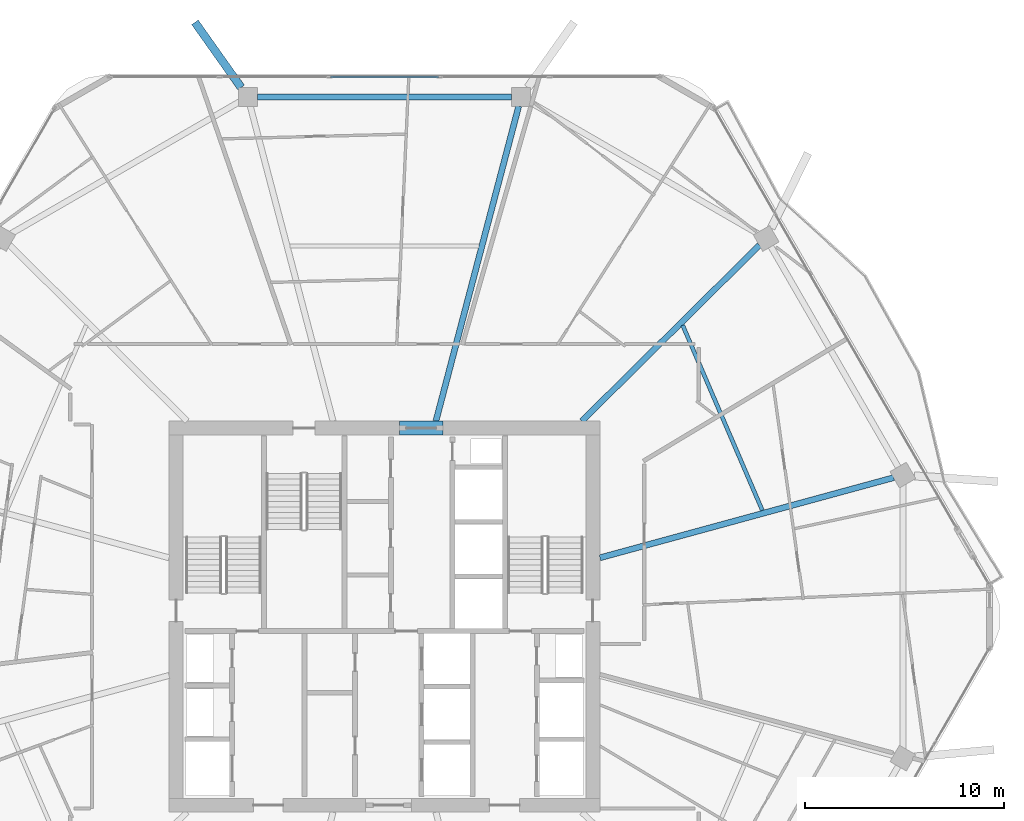
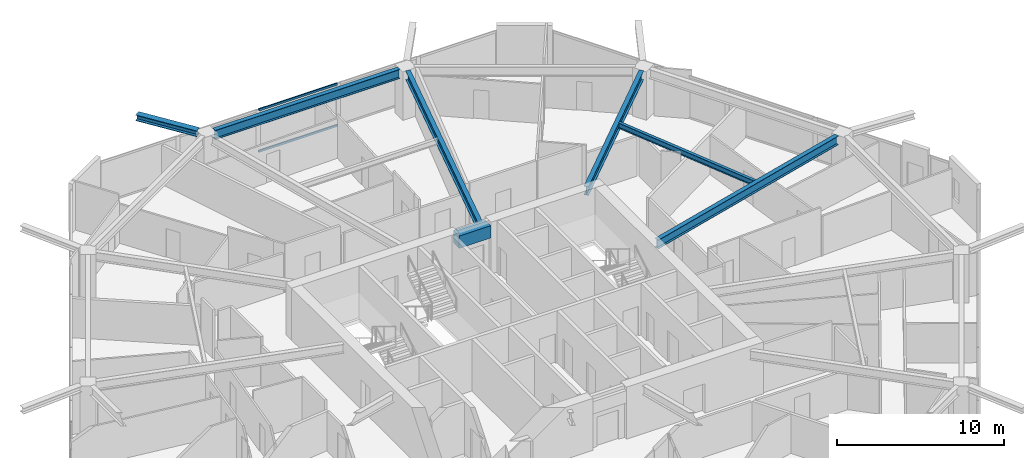
# One storey, part 14 of 26: 7 beams, 2 members, 1 element without a shape of its own.
"""IFC4 building model written with IfcOpenShell, lengths in metres."""

from ifc_helpers import new_model, si_unit, direction, frame, origin, origin_2d, place, context, subcontext, project, spatial, rectangle, hollow_rectangle, i_section, extrude, material, material_profile, profile_set, type_object, element, aggregate, save


model = new_model("IFC4")

# Units and contexts
model_context = context("Model", 3, precision=1e-05, world=origin(), true_north=direction((0.0, 1.0)))
body_context = subcontext(model_context, "Body", "Model", "MODEL_VIEW")
ifc_project = project(units=[si_unit("LENGTHUNIT", "METRE"), si_unit("AREAUNIT", "SQUARE_METRE"), si_unit("VOLUMEUNIT", "CUBIC_METRE"), si_unit("PLANEANGLEUNIT", "RADIAN"), si_unit("MASSUNIT", "GRAM", prefix="KILO")], contexts=[model_context])

# Site, building, storey
site_placement = place(None, origin())
site = spatial("IfcSite", under=ifc_project, at=site_placement, CompositionType="ELEMENT")
building_placement = place(site_placement, origin())
building = spatial("IfcBuilding", under=site, at=building_placement, Name="Zuhravey Tower", CompositionType="ELEMENT")
storey_placement = place(building_placement, frame((0.0, 0.0, 203.60009765625)))
storey = spatial("IfcBuildingStorey", under=building, at=storey_placement, Name="L51", CompositionType="ELEMENT", Elevation=203.60009765625)

# Beam
ifc_material_1 = material(Name="Concrete C60/75", Category="concrete")
ifc_material_profile_1 = material_profile(ifc_material_1, rectangle(XDim=0.699951171875, YDim=0.89990234375, at=origin_2d()), Name="RC-700x900")
ifc_profile_set_1 = profile_set([ifc_material_profile_1], Name="Concrete C60/75")
beam_type_1 = type_object("IfcBeamType", Name="Core Coupling Beam RC700x900", PredefinedType="LINTEL", material=ifc_profile_set_1)
beam_1_placement = place(storey_placement, frame((36.751953125, 41.5, 3.099853515625), z_axis=(1.0, 0.0, 0.0), x_axis=(0.0, 1.0, 0.0)))
element("IfcBeam", 1, at=beam_1_placement, inside=storey, type_object=beam_type_1, Name="L51 CB1 BM-L51-CB-N", PredefinedType="LINTEL", context=body_context, shape_type="SweptSolid", body=[
    extrude(rectangle(XDim=0.699951171875, YDim=0.89990234375, at=origin_2d()), origin(), (0.0, 0.0, 1.0), 2.196044921875),
])

# Curtain wall, members
ifc_material_2 = material(Name="Thermally broken anodised aluminium", Category="aluminium")
curtain_wall_type = type_object("IfcCurtainWallType", Name="Zone 1-2 Residential Curtain Wall CW3", PredefinedType="NOTDEFINED", material=ifc_material_2)
curtain_wall_placement = place(storey_placement, origin())
curtain_wall = element("IfcCurtainWall", 2, at=curtain_wall_placement, inside=storey, type_object=curtain_wall_type, Name="L51 CW3 CW-L51-F2-1", PredefinedType="NOTDEFINED")
ifc_material_3 = material(Name="Anodised aluminium", Category="aluminium")
ifc_material_profile_2 = material_profile(ifc_material_3, hollow_rectangle(XDim=0.090087890625, YDim=0.14990234375, WallThickness=0.0048828125, at=origin_2d()), Name="ALU-RHS-90x150x5")
ifc_profile_set_2 = profile_set([ifc_material_profile_2], Name="Anodised aluminium")
member_type = type_object("IfcMemberType", Name="Curtain-Wall Transom 90x150", PredefinedType="USERDEFINED", material=ifc_profile_set_2)
member_1_placement = place(storey_placement, frame((33.272705078125, 59.18310546875, 0.044921875), z_axis=(1.0, 0.0, 0.0), x_axis=(0.0, 1.0, 0.0)))
member_1 = element("IfcMember", 3, at=member_1_placement, type_object=member_type, Name="CW3 transom 3.1", ObjectType="TRANSOM", PredefinedType="USERDEFINED", context=body_context, shape_type="SweptSolid", body=[
    extrude(hollow_rectangle(XDim=0.090087890625, YDim=0.14990234375, WallThickness=0.0048828125, at=origin_2d()), origin(), (0.0, 0.0, 1.0), 5.45458984375),
])
member_2_placement = place(storey_placement, frame((33.272705078125, 59.18310546875, 3.076904296875), z_axis=(1.0, 0.0, 0.0), x_axis=(0.0, 1.0, 0.0)))
member_2 = element("IfcMember", 4, at=member_2_placement, type_object=member_type, Name="CW3 transom 3.2", ObjectType="TRANSOM", PredefinedType="USERDEFINED", context=body_context, shape_type="SweptSolid", body=[
    extrude(hollow_rectangle(XDim=0.090087890625, YDim=0.14990234375, WallThickness=0.0048828125, at=origin_2d()), origin(), (0.0, 0.0, 1.0), 5.45458984375),
])
aggregate(curtain_wall, [member_1, member_2])

# Beams
ifc_material_4 = material(Name="Steel SM460", Category="steel")
ifc_material_profile_3 = material_profile(ifc_material_4, i_section(OverallWidth=0.406982421875, OverallDepth=0.427978515625, WebThickness=0.02001953125, FlangeThickness=0.034912109375, at=origin_2d()), Name="H-428x407x20x35")
ifc_profile_set_3 = profile_set([ifc_material_profile_3], Name="Steel SM460")
beam_type_2 = type_object("IfcBeamType", Name="Exoskeleton Node Tie Beam H428x407", PredefinedType="BEAM", material=ifc_profile_set_3)
beam_2_placement = place(storey_placement, frame((28.77880859375, 58.6513671875, 3.3359375), z_axis=(-0.578379549455, 0.815767795866, 0.0), x_axis=(-0.815767795866, -0.578379549455, 0.0)))
element("IfcBeam", 5, at=beam_2_placement, inside=storey, type_object=beam_type_2, Name="L51 Exoskeleton Node Tie NT1-04", PredefinedType="BEAM", context=body_context, shape_type="SweptSolid", body=[
    extrude(i_section(OverallWidth=0.406982421875, OverallDepth=0.427978515625, WebThickness=0.02001953125, FlangeThickness=0.034912109375, at=origin_2d()), origin(), (0.0, 0.0, 1.0), 4.020263671875),
])
ifc_material_5 = material(Name="Steel SM355", Category="steel")
ifc_material_profile_4 = material_profile(ifc_material_5, i_section(OverallWidth=0.300048828125, OverallDepth=0.679931640625, WebThickness=0.012939453125, FlangeThickness=0.02197265625, at=origin_2d()), Name="H-680x300x13x22")
ifc_profile_set_4 = profile_set([ifc_material_profile_4], Name="Steel SM355")
beam_type_3 = type_object("IfcBeamType", Name="Perimeter Ring Beam H680x300", PredefinedType="BEAM", material=ifc_profile_set_4)
beam_3_placement = place(storey_placement, frame((42.404052734375, 58.173095703125, 3.2099609375), z_axis=(-1.0, 0.0, 0.0), x_axis=(0.0, -1.0, 0.0)))
element("IfcBeam", 6, at=beam_3_placement, inside=storey, type_object=beam_type_3, Name="L51 PB2 BM-L51-PB-03", PredefinedType="BEAM", context=body_context, shape_type="SweptSolid", body=[
    extrude(i_section(OverallWidth=0.300048828125, OverallDepth=0.679931640625, WebThickness=0.012939453125, FlangeThickness=0.02197265625, at=origin_2d()), origin(), (0.0, 0.0, 1.0), 12.80810546875),
])
ifc_material_profile_5 = material_profile(ifc_material_5, i_section(OverallWidth=0.300048828125, OverallDepth=0.64990234375, WebThickness=0.012939453125, FlangeThickness=0.02197265625, at=origin_2d()), Name="H-650x300x13x22")
ifc_profile_set_5 = profile_set([ifc_material_profile_5], Name="Steel SM355")
beam_type_4 = type_object("IfcBeamType", Name="Radial Primary Girder H650x300", PredefinedType="BEAM", material=ifc_profile_set_5)
beam_4_placement = place(storey_placement, frame((46.85302734375, 34.96240234375, 3.224853515625), z_axis=(0.964701703464, 0.263345065139, 0.0), x_axis=(-0.263345065139, 0.964701703464, 0.0)))
element("IfcBeam", 7, at=beam_4_placement, inside=storey, type_object=beam_type_4, Name="L51 RG2 BM-L51-RAD-01", PredefinedType="BEAM", context=body_context, shape_type="SweptSolid", body=[
    extrude(i_section(OverallWidth=0.300048828125, OverallDepth=0.64990234375, WebThickness=0.012939453125, FlangeThickness=0.02197265625, at=origin_2d()), origin(), (0.0, 0.0, 1.0), 15.334716796875),
])
beam_5_placement = place(storey_placement, frame((45.945556640625, 41.85302734375, 3.224853515625), z_axis=(0.710406645816, 0.703791444663, 0.0), x_axis=(-0.703791444663, 0.710406645816, 0.0)))
element("IfcBeam", 8, at=beam_5_placement, inside=storey, type_object=beam_type_4, Name="L51 RG2 BM-L51-RAD-02", PredefinedType="BEAM", context=body_context, shape_type="SweptSolid", body=[
    extrude(i_section(OverallWidth=0.300048828125, OverallDepth=0.64990234375, WebThickness=0.012939453125, FlangeThickness=0.02197265625, at=origin_2d()), origin(), (0.0, 0.0, 1.0), 12.5849609375),
])
beam_6_placement = place(storey_placement, frame((38.5908203125, 41.85302734375, 3.224853515625), z_axis=(0.254299806285, 0.967125435775, 0.0), x_axis=(-0.967125435775, 0.254299806285, 0.0)))
element("IfcBeam", 9, at=beam_6_placement, inside=storey, type_object=beam_type_4, Name="L51 RG2 BM-L51-RAD-03", PredefinedType="BEAM", context=body_context, shape_type="SweptSolid", body=[
    extrude(i_section(OverallWidth=0.300048828125, OverallDepth=0.64990234375, WebThickness=0.012939453125, FlangeThickness=0.02197265625, at=origin_2d()), origin(), (0.0, 0.0, 1.0), 16.396728515625),
])
ifc_material_profile_6 = material_profile(ifc_material_5, i_section(OverallWidth=0.199951171875, OverallDepth=0.39990234375, WebThickness=0.008056640625, FlangeThickness=0.012939453125, at=origin_2d()), Name="H-400x200x8x13")
ifc_profile_set_6 = profile_set([ifc_material_profile_6], Name="Steel SM355")
beam_type_5 = type_object("IfcBeamType", Name="Secondary Floor Joist H400x200", PredefinedType="JOIST", material=ifc_profile_set_6)
beam_7_placement = place(storey_placement, frame((55.029541015625, 37.3525390625, 3.349853515625), z_axis=(-0.395265853487, 0.918566766799, 0.0), x_axis=(-0.918566766799, -0.395265853487, 0.0)))
element("IfcBeam", 10, at=beam_7_placement, inside=storey, type_object=beam_type_5, Name="L51 SJ2 BM-L51-SJ-01-1", PredefinedType="JOIST", context=body_context, shape_type="SweptSolid", body=[
    extrude(i_section(OverallWidth=0.199951171875, OverallDepth=0.39990234375, WebThickness=0.008056640625, FlangeThickness=0.012939453125, at=origin_2d()), origin(), (0.0, 0.0, 1.0), 10.150146484375),
])

save(model, "model.ifc")
